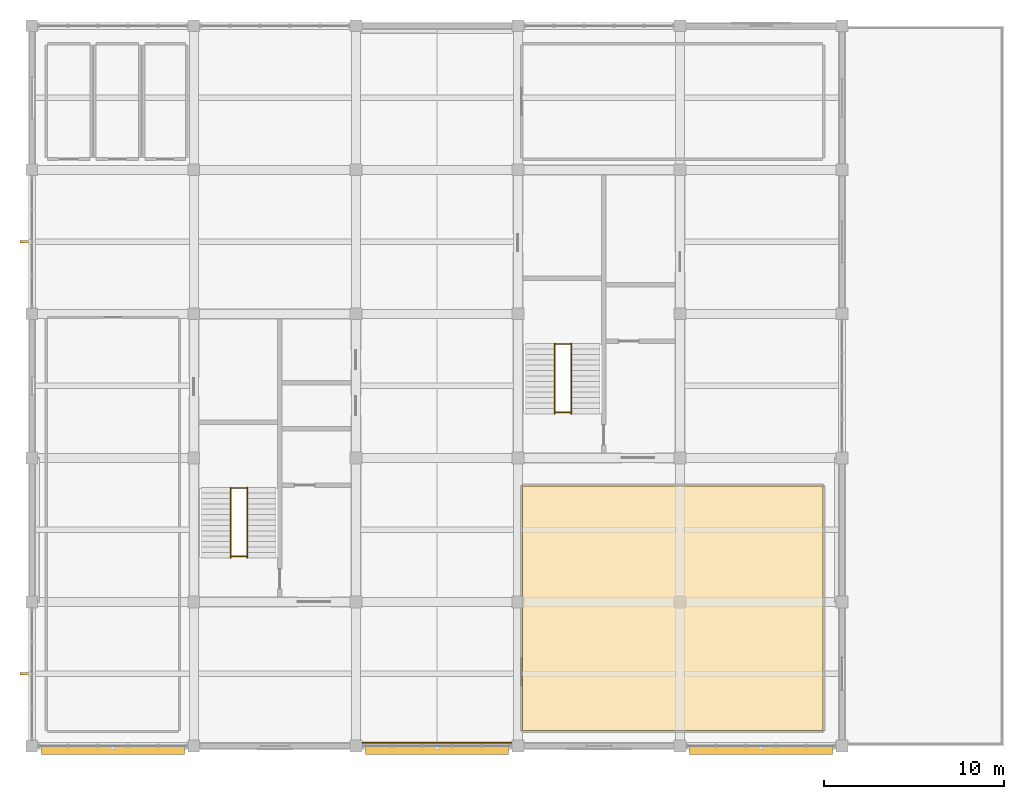
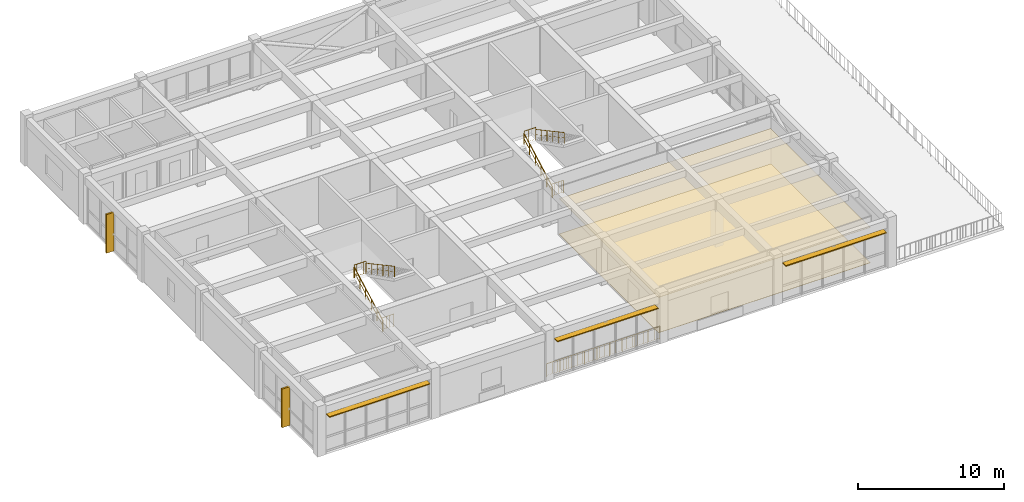
# One storey, part 11 of 12: 9 railings, 5 shading devices, 2 coverings.
"""IFC4 building model written with IfcOpenShell, lengths in metres."""

from ifc_helpers import new_model, si_unit, direction, frame, frame_2d, origin, origin_2d, place, context, subcontext, project, spatial, polyline, rectangle, circle, outline, extrude, material, layer, layer_set, type_object, element, save


model = new_model("IFC4")

# Units and contexts
model_context = context("Model", 3, precision=1e-05, world=origin(), true_north=direction((0.0, 1.0)))
body_context = subcontext(model_context, "Body", "Model", "MODEL_VIEW")
ifc_project = project(units=[si_unit("LENGTHUNIT", "METRE"), si_unit("AREAUNIT", "SQUARE_METRE"), si_unit("VOLUMEUNIT", "CUBIC_METRE"), si_unit("PLANEANGLEUNIT", "RADIAN"), si_unit("MASSUNIT", "GRAM", prefix="KILO")], contexts=[model_context])

# Site, building, storey
site_placement = place(None, origin())
site = spatial("IfcSite", under=ifc_project, at=site_placement, CompositionType="ELEMENT")
building_placement = place(site_placement, origin())
building = spatial("IfcBuilding", under=site, at=building_placement, Name="Zaverband Oceanarium and Marine Research Institute", CompositionType="ELEMENT")
storey_placement = place(building_placement, frame((0.0, 0.0, 68.699951171875)))
storey = spatial("IfcBuildingStorey", under=building, at=storey_placement, Name="L17", CompositionType="ELEMENT", Elevation=68.699951171875)

# Coverings
ifc_material_1 = material(Name="Perforated mineral-fibre acoustic ceiling tile")
ifc_layer_1 = layer(ifc_material_1, 0.02490234375, Name="Perforated mineral-fibre acoustic ceiling tile")
ifc_layer_set_1 = layer_set([ifc_layer_1], Name="Perforated mineral-fibre acoustic ceiling tile")
covering_type_1 = type_object("IfcCoveringType", Name="CLG-AC-15", PredefinedType="CEILING", material=ifc_layer_set_1)
covering_1_placement = place(storey_placement, frame((0.0, 0.0, 2.949951171875)))
element("IfcCovering", 1, at=covering_1_placement, inside=storey, type_object=covering_type_1, Name="Suspended acoustic ceiling CLG-AC-15", PredefinedType="CEILING", context=body_context, shape_type="SweptSolid", body=[
    extrude(outline(polyline([(36.25, 72.85009765625), (52.949951171875, 72.85009765625), (52.949951171875, 86.449951171875), (36.25, 86.449951171875), (36.25, 72.85009765625)])), origin(), (0.0, 0.0, 1.0), 0.025146484375),
])
ifc_material_2 = material(Name="Polished marine terrazzo and seamless laboratory epoxy flooring")
ifc_layer_2 = layer(ifc_material_2, 0.02490234375, Name="Polished marine terrazzo and seamless laboratory epoxy flooring")
ifc_layer_set_2 = layer_set([ifc_layer_2], Name="Polished marine terrazzo and seamless laboratory epoxy flooring")
covering_type_2 = type_object("IfcCoveringType", Name="FLR-TRZ-20", PredefinedType="FLOORING", material=ifc_layer_set_2)
covering_2_placement = place(storey_placement, origin())
element("IfcCovering", 2, at=covering_2_placement, inside=storey, type_object=covering_type_2, Name="Terrazzo and marine epoxy floor finish FLR-TRZ-20", PredefinedType="FLOORING", context=body_context, shape_type="SweptSolid", body=[
    extrude(outline(polyline([(36.25, 72.85009765625), (52.949951171875, 72.85009765625), (52.949951171875, 86.449951171875), (36.25, 86.449951171875), (36.25, 72.85009765625)])), origin(), (0.0, 0.0, 1.0), 0.025146484375),
])

# Railings
ifc_material_3 = material(Name="Steel S355", Category="steel")
ifc_layer_3 = layer(ifc_material_3, 0.06005859375, Name="Steel S355")
ifc_layer_set_3 = layer_set([ifc_layer_3], Name="Steel S355")
railing_type_1 = type_object("IfcRailingType", Name="GRD-1100", PredefinedType="BALUSTRADE", material=ifc_layer_set_3)
for number, where, name in (
    (3, (20.0400390625, 86.330078125, 2.10009765625), "1100 mm steel post-and-baluster safety guard GRD-1100"),
    (4, (20.0400390625, 82.530029296875, 0.0), "1100 mm steel post-and-baluster safety guard GRD-1100"),
    (5, (38.0400390625, 94.330078125, 2.10009765625), "1100 mm steel post-and-baluster safety guard GRD-1100"),
    (6, (38.0400390625, 90.530029296875, 0.0), "1100 mm steel post-and-baluster safety guard GRD-1100"),
):
    element("IfcRailing", number, at=place(storey_placement, frame(where)), inside=storey, type_object=railing_type_1, Name=name, PredefinedType="BALUSTRADE", context=body_context, shape_type="SweptSolid", body=[
        extrude(circle(Radius=0.02392578125, at=origin_2d()), frame((0.0, 0.0, 1.076171875), z_axis=(1.0, 0.0, 0.0), x_axis=(0.0, 1.0, 0.0)), (0.0, 0.0, 1.0), 0.919921875),
        extrude(circle(Radius=0.009033203125, at=origin_2d()), frame((0.0, 0.0, 0.10009765625), z_axis=(1.0, 0.0, 0.0), x_axis=(0.0, 1.0, 0.0)), (0.0, 0.0, 1.0), 0.919921875),
        extrude(circle(Radius=0.009033203125, at=origin_2d()), frame((0.18408203125, 0.0, 0.10009765625)), (0.0, 0.0, 1.0), 0.951904296875),
        extrude(circle(Radius=0.009033203125, at=origin_2d()), frame((0.367919921875, 0.0, 0.10009765625)), (0.0, 0.0, 1.0), 0.951904296875),
        extrude(circle(Radius=0.009033203125, at=origin_2d()), frame((0.552001953125, 0.0, 0.10009765625)), (0.0, 0.0, 1.0), 0.951904296875),
        extrude(circle(Radius=0.009033203125, at=origin_2d()), frame((0.73583984375, 0.0, 0.10009765625)), (0.0, 0.0, 1.0), 0.951904296875),
        extrude(circle(Radius=0.02099609375, at=origin_2d()), origin(), (0.0, 0.0, 1.0), 1.052001953125),
        extrude(circle(Radius=0.02099609375, at=origin_2d()), frame((0.919921875, 0.0, 0.0)), (0.0, 0.0, 1.0), 1.052001953125),
    ])
railing_1_placement = place(storey_placement, frame((27.050048828125, 72.179931640625, 0.0)))
element("IfcRailing", 7, at=railing_1_placement, inside=storey, type_object=railing_type_1, Name="1100 mm steel post-and-baluster safety guard GRD-1100", PredefinedType="BALUSTRADE", context=body_context, shape_type="SweptSolid", body=[
    extrude(circle(Radius=0.02392578125, at=origin_2d()), frame((0.0, 0.0, 1.076171875), z_axis=(1.0, 0.0, 0.0), x_axis=(0.0, 1.0, 0.0)), (0.0, 0.0, 1.0), 8.89990234375),
    extrude(circle(Radius=0.009033203125, at=origin_2d()), frame((0.0, 0.0, 0.10009765625), z_axis=(1.0, 0.0, 0.0), x_axis=(0.0, 1.0, 0.0)), (0.0, 0.0, 1.0), 8.89990234375),
    extrude(circle(Radius=0.009033203125, at=origin_2d()), frame((0.217041015625, 0.0, 0.10009765625)), (0.0, 0.0, 1.0), 0.951904296875),
    extrude(circle(Radius=0.009033203125, at=origin_2d()), frame((0.43408203125, 0.0, 0.10009765625)), (0.0, 0.0, 1.0), 0.951904296875),
    extrude(circle(Radius=0.009033203125, at=origin_2d()), frame((0.651123046875, 0.0, 0.10009765625)), (0.0, 0.0, 1.0), 0.951904296875),
    extrude(circle(Radius=0.009033203125, at=origin_2d()), frame((0.8681640625, 0.0, 0.10009765625)), (0.0, 0.0, 1.0), 0.951904296875),
    extrude(circle(Radius=0.009033203125, at=origin_2d()), frame((1.08544921875, 0.0, 0.10009765625)), (0.0, 0.0, 1.0), 0.951904296875),
    extrude(circle(Radius=0.009033203125, at=origin_2d()), frame((1.302490234375, 0.0, 0.10009765625)), (0.0, 0.0, 1.0), 0.951904296875),
    extrude(circle(Radius=0.009033203125, at=origin_2d()), frame((1.51953125, 0.0, 0.10009765625)), (0.0, 0.0, 1.0), 0.951904296875),
    extrude(circle(Radius=0.009033203125, at=origin_2d()), frame((1.736572265625, 0.0, 0.10009765625)), (0.0, 0.0, 1.0), 0.951904296875),
    extrude(circle(Radius=0.009033203125, at=origin_2d()), frame((1.95361328125, 0.0, 0.10009765625)), (0.0, 0.0, 1.0), 0.951904296875),
    extrude(circle(Radius=0.009033203125, at=origin_2d()), frame((2.170654296875, 0.0, 0.10009765625)), (0.0, 0.0, 1.0), 0.951904296875),
    extrude(circle(Radius=0.009033203125, at=origin_2d()), frame((2.3876953125, 0.0, 0.10009765625)), (0.0, 0.0, 1.0), 0.951904296875),
    extrude(circle(Radius=0.009033203125, at=origin_2d()), frame((2.604736328125, 0.0, 0.10009765625)), (0.0, 0.0, 1.0), 0.951904296875),
    extrude(circle(Radius=0.009033203125, at=origin_2d()), frame((2.822021484375, 0.0, 0.10009765625)), (0.0, 0.0, 1.0), 0.951904296875),
    extrude(circle(Radius=0.009033203125, at=origin_2d()), frame((3.0390625, 0.0, 0.10009765625)), (0.0, 0.0, 1.0), 0.951904296875),
    extrude(circle(Radius=0.009033203125, at=origin_2d()), frame((3.256103515625, 0.0, 0.10009765625)), (0.0, 0.0, 1.0), 0.951904296875),
    extrude(circle(Radius=0.009033203125, at=origin_2d()), frame((3.47314453125, 0.0, 0.10009765625)), (0.0, 0.0, 1.0), 0.951904296875),
    extrude(circle(Radius=0.009033203125, at=origin_2d()), frame((3.690185546875, 0.0, 0.10009765625)), (0.0, 0.0, 1.0), 0.951904296875),
    extrude(circle(Radius=0.009033203125, at=origin_2d()), frame((3.9072265625, 0.0, 0.10009765625)), (0.0, 0.0, 1.0), 0.951904296875),
    extrude(circle(Radius=0.009033203125, at=origin_2d()), frame((4.124267578125, 0.0, 0.10009765625)), (0.0, 0.0, 1.0), 0.951904296875),
    extrude(circle(Radius=0.009033203125, at=origin_2d()), frame((4.34130859375, 0.0, 0.10009765625)), (0.0, 0.0, 1.0), 0.951904296875),
    extrude(circle(Radius=0.009033203125, at=origin_2d()), frame((4.55859375, 0.0, 0.10009765625)), (0.0, 0.0, 1.0), 0.951904296875),
    extrude(circle(Radius=0.009033203125, at=origin_2d()), frame((4.775634765625, 0.0, 0.10009765625)), (0.0, 0.0, 1.0), 0.951904296875),
    extrude(circle(Radius=0.009033203125, at=origin_2d()), frame((4.99267578125, 0.0, 0.10009765625)), (0.0, 0.0, 1.0), 0.951904296875),
    extrude(circle(Radius=0.009033203125, at=origin_2d()), frame((5.209716796875, 0.0, 0.10009765625)), (0.0, 0.0, 1.0), 0.951904296875),
    extrude(circle(Radius=0.009033203125, at=origin_2d()), frame((5.4267578125, 0.0, 0.10009765625)), (0.0, 0.0, 1.0), 0.951904296875),
    extrude(circle(Radius=0.009033203125, at=origin_2d()), frame((5.643798828125, 0.0, 0.10009765625)), (0.0, 0.0, 1.0), 0.951904296875),
    extrude(circle(Radius=0.009033203125, at=origin_2d()), frame((5.86083984375, 0.0, 0.10009765625)), (0.0, 0.0, 1.0), 0.951904296875),
    extrude(circle(Radius=0.009033203125, at=origin_2d()), frame((6.077880859375, 0.0, 0.10009765625)), (0.0, 0.0, 1.0), 0.951904296875),
    extrude(circle(Radius=0.009033203125, at=origin_2d()), frame((6.295166015625, 0.0, 0.10009765625)), (0.0, 0.0, 1.0), 0.951904296875),
    extrude(circle(Radius=0.009033203125, at=origin_2d()), frame((6.51220703125, 0.0, 0.10009765625)), (0.0, 0.0, 1.0), 0.951904296875),
    extrude(circle(Radius=0.009033203125, at=origin_2d()), frame((6.729248046875, 0.0, 0.10009765625)), (0.0, 0.0, 1.0), 0.951904296875),
    extrude(circle(Radius=0.009033203125, at=origin_2d()), frame((6.9462890625, 0.0, 0.10009765625)), (0.0, 0.0, 1.0), 0.951904296875),
    extrude(circle(Radius=0.009033203125, at=origin_2d()), frame((7.163330078125, 0.0, 0.10009765625)), (0.0, 0.0, 1.0), 0.951904296875),
    extrude(circle(Radius=0.009033203125, at=origin_2d()), frame((7.38037109375, 0.0, 0.10009765625)), (0.0, 0.0, 1.0), 0.951904296875),
    extrude(circle(Radius=0.009033203125, at=origin_2d()), frame((7.597412109375, 0.0, 0.10009765625)), (0.0, 0.0, 1.0), 0.951904296875),
    extrude(circle(Radius=0.009033203125, at=origin_2d()), frame((7.814453125, 0.0, 0.10009765625)), (0.0, 0.0, 1.0), 0.951904296875),
    extrude(circle(Radius=0.009033203125, at=origin_2d()), frame((8.03173828125, 0.0, 0.10009765625)), (0.0, 0.0, 1.0), 0.951904296875),
    extrude(circle(Radius=0.009033203125, at=origin_2d()), frame((8.248779296875, 0.0, 0.10009765625)), (0.0, 0.0, 1.0), 0.951904296875),
    extrude(circle(Radius=0.009033203125, at=origin_2d()), frame((8.4658203125, 0.0, 0.10009765625)), (0.0, 0.0, 1.0), 0.951904296875),
    extrude(circle(Radius=0.009033203125, at=origin_2d()), frame((8.682861328125, 0.0, 0.10009765625)), (0.0, 0.0, 1.0), 0.951904296875),
    extrude(circle(Radius=0.02099609375, at=origin_2d()), origin(), (0.0, 0.0, 1.0), 1.052001953125),
    extrude(circle(Radius=0.02099609375, at=origin_2d()), frame((0.98876953125, 0.0, 0.0)), (0.0, 0.0, 1.0), 1.052001953125),
    extrude(circle(Radius=0.02099609375, at=origin_2d()), frame((1.977783203125, 0.0, 0.0)), (0.0, 0.0, 1.0), 1.052001953125),
    extrude(circle(Radius=0.02099609375, at=origin_2d()), frame((2.966552734375, 0.0, 0.0)), (0.0, 0.0, 1.0), 1.052001953125),
    extrude(circle(Radius=0.02099609375, at=origin_2d()), frame((3.95556640625, 0.0, 0.0)), (0.0, 0.0, 1.0), 1.052001953125),
    extrude(circle(Radius=0.02099609375, at=origin_2d()), frame((4.9443359375, 0.0, 0.0)), (0.0, 0.0, 1.0), 1.052001953125),
    extrude(circle(Radius=0.02099609375, at=origin_2d()), frame((5.933349609375, 0.0, 0.0)), (0.0, 0.0, 1.0), 1.052001953125),
    extrude(circle(Radius=0.02099609375, at=origin_2d()), frame((6.922119140625, 0.0, 0.0)), (0.0, 0.0, 1.0), 1.052001953125),
    extrude(circle(Radius=0.02099609375, at=origin_2d()), frame((7.9111328125, 0.0, 0.0)), (0.0, 0.0, 1.0), 1.052001953125),
    extrude(circle(Radius=0.02099609375, at=origin_2d()), frame((8.89990234375, 0.0, 0.0)), (0.0, 0.0, 1.0), 1.052001953125),
])
ifc_layer_4 = layer(ifc_material_3, 0.050048828125, Name="Steel S355")
ifc_layer_set_4 = layer_set([ifc_layer_4], Name="Steel S355")
railing_type_2 = type_object("IfcRailingType", Name="HR-920", PredefinedType="HANDRAIL", material=ifc_layer_set_4)
railing_2_placement = place(storey_placement, frame((20.0400390625, 82.449951171875, 0.0)))
element("IfcRailing", 8, at=railing_2_placement, inside=storey, type_object=railing_type_2, Name="920 mm continuous tubular stair and ramp handrail HR-920", PredefinedType="HANDRAIL", context=body_context, shape_type="SweptSolid", body=[
    extrude(circle(Radius=0.02392578125, at=origin_2d()), frame((0.0, 0.0, 0.89599609375), z_axis=(0.0, 0.880469330154, 0.474103109733), x_axis=(-1.0, 0.0, 0.0)), (0.0, 0.0, 1.0), 4.4296875),
    extrude(circle(Radius=0.009033203125, at=origin_2d()), frame((0.0, 0.0, 0.4599609375), z_axis=(0.0, 0.880469330154, 0.474103109733), x_axis=(-1.0, 0.0, 0.0)), (0.0, 0.0, 1.0), 4.4296875),
    extrude(circle(Radius=0.02099609375, at=origin_2d()), origin(), (0.0, 0.0, 1.0), 0.871826171875),
    extrude(circle(Radius=0.02099609375, at=origin_2d()), frame((0.0, 0.780029296875, 0.419921875)), (0.0, 0.0, 1.0), 0.871826171875),
    extrude(circle(Radius=0.02099609375, at=origin_2d()), frame((0.0, 1.56005859375, 0.840087890625)), (0.0, 0.0, 1.0), 0.871826171875),
    extrude(circle(Radius=0.02099609375, at=origin_2d()), frame((0.0, 2.340087890625, 1.260009765625)), (0.0, 0.0, 1.0), 0.871826171875),
    extrude(circle(Radius=0.02099609375, at=origin_2d()), frame((0.0, 3.1201171875, 1.68017578125)), (0.0, 0.0, 1.0), 0.871826171875),
    extrude(circle(Radius=0.02099609375, at=origin_2d()), frame((0.0, 3.900146484375, 2.10009765625)), (0.0, 0.0, 1.0), 0.871826171875),
])
railing_3_placement = place(storey_placement, frame((20.9599609375, 86.35009765625, 2.10009765625)))
element("IfcRailing", 9, at=railing_3_placement, inside=storey, type_object=railing_type_2, Name="920 mm continuous tubular stair and ramp handrail HR-920", PredefinedType="HANDRAIL", context=body_context, shape_type="SweptSolid", body=[
    extrude(circle(Radius=0.02392578125, at=origin_2d()), frame((0.0, 0.0, 0.89599609375), z_axis=(0.0, -0.88049233674, 0.474060381114), x_axis=(1.0, 0.0, 0.0)), (0.0, 0.0, 1.0), 4.429443359375),
    extrude(circle(Radius=0.009033203125, at=origin_2d()), frame((0.0, 0.0, 0.4599609375), z_axis=(0.0, -0.88049233674, 0.474060381114), x_axis=(1.0, 0.0, 0.0)), (0.0, 0.0, 1.0), 4.429443359375),
    extrude(circle(Radius=0.02099609375, at=origin_2d()), origin(), (0.0, 0.0, 1.0), 0.871826171875),
    extrude(circle(Radius=0.02099609375, at=origin_2d()), frame((0.0, -0.780029296875, 0.419921875)), (0.0, 0.0, 1.0), 0.871826171875),
    extrude(circle(Radius=0.02099609375, at=origin_2d()), frame((0.0, -1.56005859375, 0.83984375)), (0.0, 0.0, 1.0), 0.871826171875),
    extrude(circle(Radius=0.02099609375, at=origin_2d()), frame((0.0, -2.340087890625, 1.260009765625)), (0.0, 0.0, 1.0), 0.871826171875),
    extrude(circle(Radius=0.02099609375, at=origin_2d()), frame((0.0, -3.1201171875, 1.679931640625)), (0.0, 0.0, 1.0), 0.871826171875),
    extrude(circle(Radius=0.02099609375, at=origin_2d()), frame((0.0, -3.900146484375, 2.099853515625)), (0.0, 0.0, 1.0), 0.871826171875),
])
railing_4_placement = place(storey_placement, frame((38.0400390625, 90.449951171875, 0.0)))
element("IfcRailing", 10, at=railing_4_placement, inside=storey, type_object=railing_type_2, Name="920 mm continuous tubular stair and ramp handrail HR-920", PredefinedType="HANDRAIL", context=body_context, shape_type="SweptSolid", body=[
    extrude(circle(Radius=0.02392578125, at=origin_2d()), frame((0.0, 0.0, 0.89599609375), z_axis=(0.0, 0.880469330154, 0.474103109733), x_axis=(-1.0, 0.0, 0.0)), (0.0, 0.0, 1.0), 4.4296875),
    extrude(circle(Radius=0.009033203125, at=origin_2d()), frame((0.0, 0.0, 0.4599609375), z_axis=(0.0, 0.880469330154, 0.474103109733), x_axis=(-1.0, 0.0, 0.0)), (0.0, 0.0, 1.0), 4.4296875),
    extrude(circle(Radius=0.02099609375, at=origin_2d()), origin(), (0.0, 0.0, 1.0), 0.871826171875),
    extrude(circle(Radius=0.02099609375, at=origin_2d()), frame((0.0, 0.780029296875, 0.419921875)), (0.0, 0.0, 1.0), 0.871826171875),
    extrude(circle(Radius=0.02099609375, at=origin_2d()), frame((0.0, 1.56005859375, 0.840087890625)), (0.0, 0.0, 1.0), 0.871826171875),
    extrude(circle(Radius=0.02099609375, at=origin_2d()), frame((0.0, 2.340087890625, 1.260009765625)), (0.0, 0.0, 1.0), 0.871826171875),
    extrude(circle(Radius=0.02099609375, at=origin_2d()), frame((0.0, 3.1201171875, 1.68017578125)), (0.0, 0.0, 1.0), 0.871826171875),
    extrude(circle(Radius=0.02099609375, at=origin_2d()), frame((0.0, 3.900146484375, 2.10009765625)), (0.0, 0.0, 1.0), 0.871826171875),
])
railing_5_placement = place(storey_placement, frame((38.9599609375, 94.35009765625, 2.10009765625)))
element("IfcRailing", 11, at=railing_5_placement, inside=storey, type_object=railing_type_2, Name="920 mm continuous tubular stair and ramp handrail HR-920", PredefinedType="HANDRAIL", context=body_context, shape_type="SweptSolid", body=[
    extrude(circle(Radius=0.02392578125, at=origin_2d()), frame((0.0, 0.0, 0.89599609375), z_axis=(0.0, -0.88049233674, 0.474060381114), x_axis=(1.0, 0.0, 0.0)), (0.0, 0.0, 1.0), 4.429443359375),
    extrude(circle(Radius=0.009033203125, at=origin_2d()), frame((0.0, 0.0, 0.4599609375), z_axis=(0.0, -0.88049233674, 0.474060381114), x_axis=(1.0, 0.0, 0.0)), (0.0, 0.0, 1.0), 4.429443359375),
    extrude(circle(Radius=0.02099609375, at=origin_2d()), origin(), (0.0, 0.0, 1.0), 0.871826171875),
    extrude(circle(Radius=0.02099609375, at=origin_2d()), frame((0.0, -0.780029296875, 0.419921875)), (0.0, 0.0, 1.0), 0.871826171875),
    extrude(circle(Radius=0.02099609375, at=origin_2d()), frame((0.0, -1.56005859375, 0.83984375)), (0.0, 0.0, 1.0), 0.871826171875),
    extrude(circle(Radius=0.02099609375, at=origin_2d()), frame((0.0, -2.340087890625, 1.260009765625)), (0.0, 0.0, 1.0), 0.871826171875),
    extrude(circle(Radius=0.02099609375, at=origin_2d()), frame((0.0, -3.1201171875, 1.679931640625)), (0.0, 0.0, 1.0), 0.871826171875),
    extrude(circle(Radius=0.02099609375, at=origin_2d()), frame((0.0, -3.900146484375, 2.099853515625)), (0.0, 0.0, 1.0), 0.871826171875),
])

# Shading devices
ifc_material_4 = material(Name="Concrete C40/50 precast brise-soleil", Category="concrete")
ifc_layer_5 = layer(ifc_material_4, 0.139892578125, Name="Concrete C40/50 precast brise-soleil")
ifc_layer_set_5 = layer_set([ifc_layer_5], Name="Concrete C40/50 precast brise-soleil")
shading_device_type_1 = type_object("IfcShadingDeviceType", Name="SHD-FIN-600", PredefinedType="JALOUSIE", material=ifc_layer_set_5)
for number, where, z_axis, x_axis, name in (
    (12, (8.93994140625, 76.0, 0.0), (0.0, 0.0, 1.0), (-1.0, 0.0, 0.0), "600 mm vertical precast brise-soleil fin SHD-FIN-600"),
    (13, (8.93994140625, 100.0, 0.0), (0.0, 0.0, 1.0), (-1.0, 0.0, 0.0), "600 mm vertical precast brise-soleil fin SHD-FIN-600"),
):
    element("IfcShadingDevice", number, at=place(storey_placement, frame(where, z_axis=z_axis, x_axis=x_axis)), inside=storey, type_object=shading_device_type_1, Name=name, PredefinedType="JALOUSIE", context=body_context, shape_type="SweptSolid", body=[
        extrude(rectangle(XDim=0.599853515625, YDim=0.139892578125, at=frame_2d((0.2998046875, 0.0))), origin(), (0.0, 0.0, 1.0), 3.219970703125),
    ])
ifc_material_5 = material(Name="Anodized bronze marine-grade aluminium", Category="aluminium")
ifc_layer_6 = layer(ifc_material_5, 0.080078125, Name="Anodized bronze marine-grade aluminium")
ifc_layer_set_6 = layer_set([ifc_layer_6], Name="Anodized bronze marine-grade aluminium")
shading_device_type_2 = type_object("IfcShadingDeviceType", Name="SHD-LVR-450", PredefinedType="USERDEFINED", material=ifc_layer_set_6)
for number, where, z_axis, x_axis, name in (
    (14, (9.530029296875, 71.760009765625, 3.090087890625), (0.0, 0.0, 1.0), (1.0, 0.0, 0.0), "450 mm horizontal solar shading louvre SHD-LVR-450"),
    (15, (27.530029296875, 71.760009765625, 3.090087890625), (0.0, 0.0, 1.0), (1.0, 0.0, 0.0), "450 mm horizontal solar shading louvre SHD-LVR-450"),
    (16, (45.530029296875, 71.760009765625, 3.090087890625), (0.0, 0.0, 1.0), (1.0, 0.0, 0.0), "450 mm horizontal solar shading louvre SHD-LVR-450"),
):
    element("IfcShadingDevice", number, at=place(storey_placement, frame(where, z_axis=z_axis, x_axis=x_axis)), inside=storey, type_object=shading_device_type_2, Name=name, ObjectType="LOUVRE", PredefinedType="USERDEFINED", context=body_context, shape_type="SweptSolid", body=[
        extrude(rectangle(XDim=7.93994140625, YDim=0.449951171875, at=frame_2d((3.969970703125, 0.0))), origin(), (0.0, 0.0, 1.0), 0.080078125),
    ])

save(model, "model.ifc")
